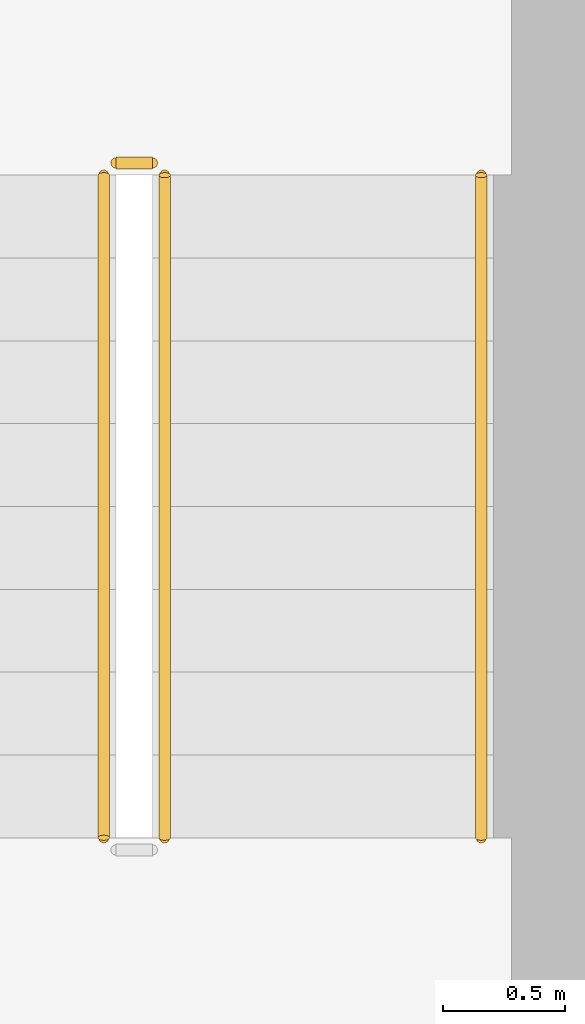
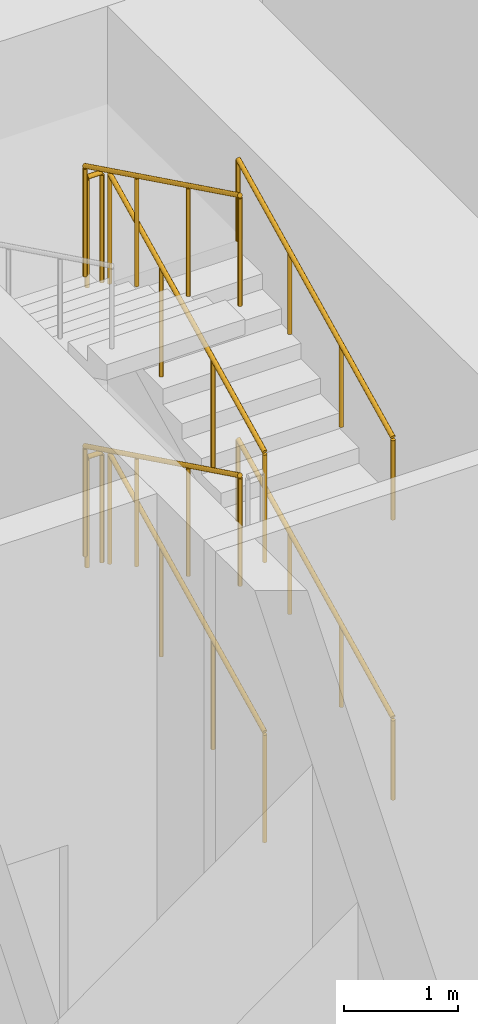
# One storey, part 15 of 15: 8 railings.
"""IFC4 building model written with IfcOpenShell, lengths in metres."""

from ifc_helpers import new_model, si_unit, direction, frame, origin, origin_2d, place, context, subcontext, project, spatial, circle, extrude, material, type_object, element, save


model = new_model("IFC4")

# Units and contexts
model_context = context("Model", 3, precision=1e-05, world=origin(), true_north=direction((0.0, 1.0)))
body_context = subcontext(model_context, "Body", "Model", "MODEL_VIEW")
ifc_project = project(units=[si_unit("LENGTHUNIT", "METRE"), si_unit("AREAUNIT", "SQUARE_METRE"), si_unit("VOLUMEUNIT", "CUBIC_METRE"), si_unit("PLANEANGLEUNIT", "RADIAN"), si_unit("MASSUNIT", "GRAM", prefix="KILO")], contexts=[model_context])

# Site, building, storey
site_placement = place(None, origin())
site = spatial("IfcSite", under=ifc_project, at=site_placement, CompositionType="ELEMENT")
building_placement = place(site_placement, origin())
building = spatial("IfcBuilding", under=site, at=building_placement, Name="Dongbaek Canopy Tower", CompositionType="ELEMENT")
storey_placement = place(building_placement, frame((0.0, 0.0, 27.0)))
storey = spatial("IfcBuildingStorey", under=building, at=storey_placement, Name="L03", CompositionType="ELEMENT", Elevation=27.0)

# Railings
ifc_material_1 = material(Name="Stainless steel tube and balusters", Category="steel")
railing_type_1 = type_object("IfcRailingType", Name="Stair guard 1200", PredefinedType="GUARDRAIL", material=ifc_material_1)
railing_1_placement = place(storey_placement, frame((11.449951171875, 4.699951171875, 0.166748046875)))
element("IfcRailing", 1, at=railing_1_placement, inside=storey, type_object=railing_type_1, Name="L03 ST-A stair guard 1", PredefinedType="GUARDRAIL", context=body_context, shape_type="SweptSolid", body=[
    extrude(circle(Radius=0.02392578125, at=origin_2d()), frame((0.0, 0.0, 1.17578125), z_axis=(0.0, 0.897929466783, 0.4401393787), x_axis=(-1.0, 0.0, 0.0)), (0.0, 0.0, 1.0), 3.029052734375),
    extrude(circle(Radius=0.02099609375, at=origin_2d()), origin(), (0.0, 0.0, 1.0), 1.15185546875),
    extrude(circle(Radius=0.02099609375, at=origin_2d()), frame((0.0, 0.90673828125, 0.4443359375)), (0.0, 0.0, 1.0), 1.15185546875),
    extrude(circle(Radius=0.02099609375, at=origin_2d()), frame((0.0, 1.813232421875, 0.888916015625)), (0.0, 0.0, 1.0), 1.15185546875),
    extrude(circle(Radius=0.02099609375, at=origin_2d()), frame((0.0, 2.719970703125, 1.333251953125)), (0.0, 0.0, 1.0), 1.15185546875),
])
railing_2_placement = place(storey_placement, frame((11.39990234375, 7.469970703125, 1.5)))
element("IfcRailing", 2, at=railing_2_placement, inside=storey, type_object=railing_type_1, Name="L03 ST-A stair guard 2", PredefinedType="GUARDRAIL", context=body_context, shape_type="SweptSolid", body=[
    extrude(circle(Radius=0.02392578125, at=origin_2d()), frame((0.0, 0.0, 1.17578125), z_axis=(-1.0, 0.0, 0.0), x_axis=(0.0, -1.0, 0.0)), (0.0, 0.0, 1.0), 0.14990234375),
    extrude(circle(Radius=0.02099609375, at=origin_2d()), origin(), (0.0, 0.0, 1.0), 1.15185546875),
    extrude(circle(Radius=0.02099609375, at=origin_2d()), frame((-0.14990234375, 0.0, 0.0)), (0.0, 0.0, 1.0), 1.15185546875),
])
railing_3_placement = place(storey_placement, frame((11.199951171875, 7.419921875, 1.666748046875)))
element("IfcRailing", 3, at=railing_3_placement, inside=storey, type_object=railing_type_1, Name="L03 ST-A stair guard 3", PredefinedType="GUARDRAIL", context=body_context, shape_type="SweptSolid", body=[
    extrude(circle(Radius=0.02392578125, at=origin_2d()), frame((0.0, 0.0, 1.17578125), z_axis=(0.0, -0.897929466783, 0.4401393787), x_axis=(1.0, 0.0, 0.0)), (0.0, 0.0, 1.0), 3.029052734375),
    extrude(circle(Radius=0.02099609375, at=origin_2d()), origin(), (0.0, 0.0, 1.0), 1.15185546875),
    extrude(circle(Radius=0.02099609375, at=origin_2d()), frame((0.0, -0.90673828125, 0.4443359375)), (0.0, 0.0, 1.0), 1.15185546875),
    extrude(circle(Radius=0.02099609375, at=origin_2d()), frame((0.0, -1.813232421875, 0.888916015625)), (0.0, 0.0, 1.0), 1.15185546875),
    extrude(circle(Radius=0.02099609375, at=origin_2d()), frame((0.0, -2.719970703125, 1.333251953125)), (0.0, 0.0, 1.0), 1.15185546875),
])
railing_4_placement = place(storey_placement, frame((11.449951171875, 4.699951171875, 3.166748046875)))
element("IfcRailing", 4, at=railing_4_placement, inside=storey, type_object=railing_type_1, Name="L03 ST-A stair guard 5", PredefinedType="GUARDRAIL", context=body_context, shape_type="SweptSolid", body=[
    extrude(circle(Radius=0.02392578125, at=origin_2d()), frame((0.0, 0.0, 1.17578125), z_axis=(0.0, 0.897929466783, 0.4401393787), x_axis=(-1.0, 0.0, 0.0)), (0.0, 0.0, 1.0), 3.029052734375),
    extrude(circle(Radius=0.02099609375, at=origin_2d()), origin(), (0.0, 0.0, 1.0), 1.15185546875),
    extrude(circle(Radius=0.02099609375, at=origin_2d()), frame((0.0, 0.90673828125, 0.4443359375)), (0.0, 0.0, 1.0), 1.15185546875),
    extrude(circle(Radius=0.02099609375, at=origin_2d()), frame((0.0, 1.813232421875, 0.888916015625)), (0.0, 0.0, 1.0), 1.15185546875),
    extrude(circle(Radius=0.02099609375, at=origin_2d()), frame((0.0, 2.719970703125, 1.333251953125)), (0.0, 0.0, 1.0), 1.15185546875),
])
railing_5_placement = place(storey_placement, frame((11.39990234375, 7.469970703125, 4.5)))
element("IfcRailing", 5, at=railing_5_placement, inside=storey, type_object=railing_type_1, Name="L03 ST-A stair guard 6", PredefinedType="GUARDRAIL", context=body_context, shape_type="SweptSolid", body=[
    extrude(circle(Radius=0.02392578125, at=origin_2d()), frame((0.0, 0.0, 1.17578125), z_axis=(-1.0, 0.0, 0.0), x_axis=(0.0, -1.0, 0.0)), (0.0, 0.0, 1.0), 0.14990234375),
    extrude(circle(Radius=0.02099609375, at=origin_2d()), origin(), (0.0, 0.0, 1.0), 1.15185546875),
    extrude(circle(Radius=0.02099609375, at=origin_2d()), frame((-0.14990234375, 0.0, 0.0)), (0.0, 0.0, 1.0), 1.15185546875),
])
railing_6_placement = place(storey_placement, frame((11.199951171875, 7.419921875, 4.666748046875)))
element("IfcRailing", 6, at=railing_6_placement, inside=storey, type_object=railing_type_1, Name="L03 ST-A stair guard 7", PredefinedType="GUARDRAIL", context=body_context, shape_type="SweptSolid", body=[
    extrude(circle(Radius=0.02392578125, at=origin_2d()), frame((0.0, 0.0, 1.17578125), z_axis=(0.0, -0.897929466783, 0.4401393787), x_axis=(1.0, 0.0, 0.0)), (0.0, 0.0, 1.0), 3.029052734375),
    extrude(circle(Radius=0.02099609375, at=origin_2d()), origin(), (0.0, 0.0, 1.0), 1.15185546875),
    extrude(circle(Radius=0.02099609375, at=origin_2d()), frame((0.0, -0.90673828125, 0.4443359375)), (0.0, 0.0, 1.0), 1.15185546875),
    extrude(circle(Radius=0.02099609375, at=origin_2d()), frame((0.0, -1.813232421875, 0.888916015625)), (0.0, 0.0, 1.0), 1.15185546875),
    extrude(circle(Radius=0.02099609375, at=origin_2d()), frame((0.0, -2.719970703125, 1.333251953125)), (0.0, 0.0, 1.0), 1.15185546875),
])
ifc_material_2 = material(Name="Stainless steel tube", Category="steel")
railing_type_2 = type_object("IfcRailingType", Name="Stair handrail 900", PredefinedType="HANDRAIL", material=ifc_material_2)
for number, where, name in (
    (7, (12.75, 4.699951171875, 0.166748046875), "L03 ST-A stair handrail 1"),
    (8, (12.75, 4.699951171875, 3.166748046875), "L03 ST-A stair handrail 3"),
):
    element("IfcRailing", number, at=place(storey_placement, frame(where)), inside=storey, type_object=railing_type_2, Name=name, PredefinedType="HANDRAIL", context=body_context, shape_type="SweptSolid", body=[
        extrude(circle(Radius=0.02392578125, at=origin_2d()), frame((0.0, 0.0, 0.8759765625), z_axis=(0.0, 0.897929466783, 0.4401393787), x_axis=(-1.0, 0.0, 0.0)), (0.0, 0.0, 1.0), 3.029052734375),
        extrude(circle(Radius=0.02099609375, at=origin_2d()), origin(), (0.0, 0.0, 1.0), 0.851806640625),
        extrude(circle(Radius=0.02099609375, at=origin_2d()), frame((0.0, 0.90673828125, 0.4443359375)), (0.0, 0.0, 1.0), 0.851806640625),
        extrude(circle(Radius=0.02099609375, at=origin_2d()), frame((0.0, 1.813232421875, 0.888916015625)), (0.0, 0.0, 1.0), 0.851806640625),
        extrude(circle(Radius=0.02099609375, at=origin_2d()), frame((0.0, 2.719970703125, 1.333251953125)), (0.0, 0.0, 1.0), 0.851806640625),
    ])

save(model, "model.ifc")
